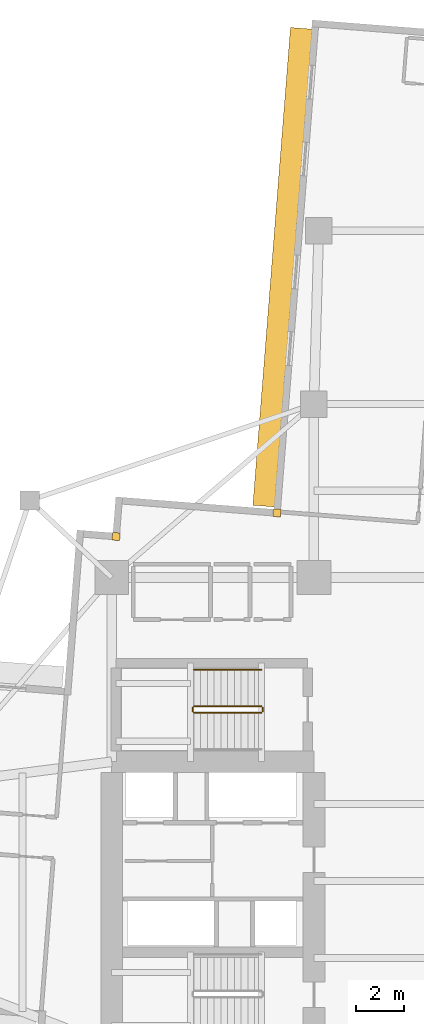
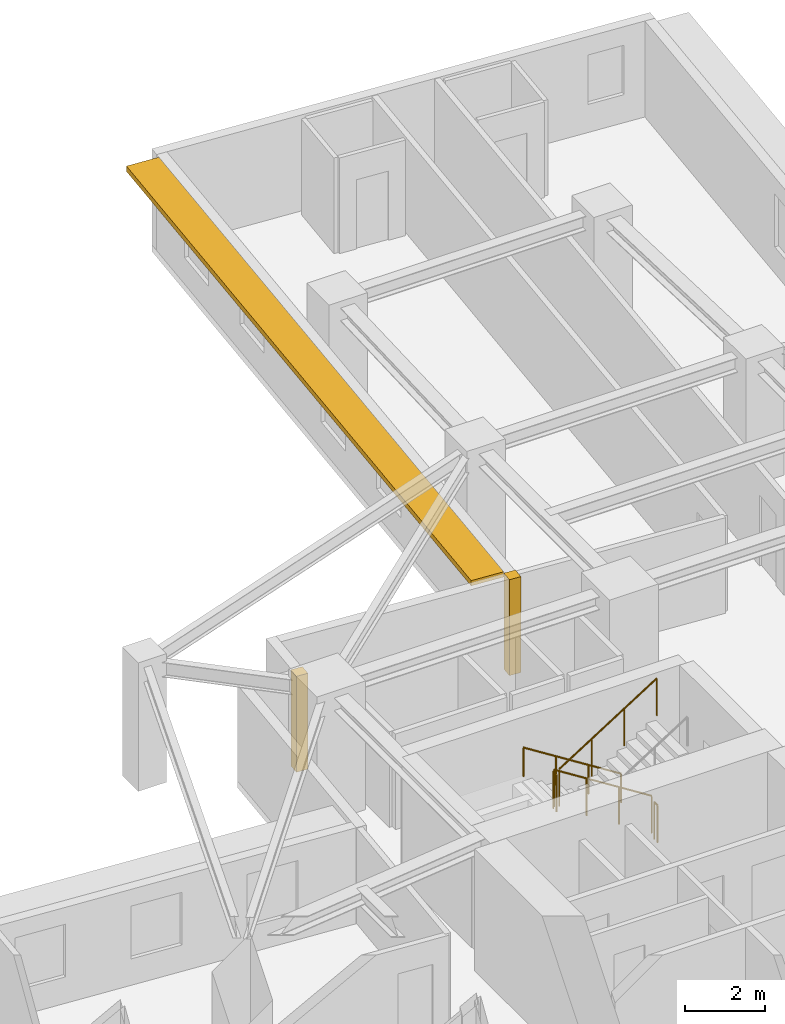
# One storey, part 13 of 14: 5 railings, 2 coverings, 1 shading device.
"""IFC4 building model written with IfcOpenShell, lengths in metres."""

import ifcopenshell
import ifcopenshell.guid

model = None  # the IFC model being written
_history = None  # IfcOwnerHistory: only IFC2X3 demands one
_inside = {}  # id of a spatial element -> (the spatial element, [elements in it])
_under = {}  # id of a project, library or spatial element -> (it, [spatial elements below it])
_declared = {}  # id of a project -> (the project, [libraries it declares])
_typed = {}  # id of a type object -> (the type object, [elements of that type])
_made_of = {}  # id of a material, layer set ... -> (it, [elements and type objects made of it])


def new_model(schema):
    """Start an empty IFC model of exactly this schema.

    Asked for "IFC4X3", IfcOpenShell would pick the latest addendum, in which some entities
    have other attributes; the version numbers below select the first issue.
    IFC2X3 requires an IfcOwnerHistory on every rooted entity: one is made here for all.
    """
    global model, _history
    if schema == "IFC4X3":
        model = ifcopenshell.file(schema_version=(4, 3, 0, 0))
    else:
        model = ifcopenshell.file(schema=schema)
    _inside.clear()
    _under.clear()
    _declared.clear()
    _typed.clear()
    _made_of.clear()
    _history = None
    if model.schema == "IFC2X3":
        org = make("IfcOrganization", Name="unknown")
        user = make(
            "IfcPersonAndOrganization",
            ThePerson=make("IfcPerson", FamilyName="unknown"),
            TheOrganization=org,
        )
        app = make(
            "IfcApplication",
            ApplicationDeveloper=org,
            Version="unknown",
            ApplicationFullName="unknown",
            ApplicationIdentifier="unknown",
        )
        _history = make(
            "IfcOwnerHistory",
            OwningUser=user,
            OwningApplication=app,
            ChangeAction="ADDED",
            CreationDate=0,
        )
    return model


def make(cls, **values):
    """One entity of the class cls with the attributes given. An attribute that is None is left unset."""
    return model.create_entity(
        cls, **{name: value for name, value in values.items() if value is not None}
    )


def rooted(cls, **values):
    """An entity with a GlobalId (a new one), such as an element, a storey or a relation."""
    return make(cls, GlobalId=ifcopenshell.guid.new(), OwnerHistory=_history, **values)


def si_unit(unit_type, name, prefix=None):
    """IfcSIUnit, for example si_unit("LENGTHUNIT", "METRE", prefix="MILLI")."""
    return make("IfcSIUnit", UnitType=unit_type, Prefix=prefix, Name=name)


def assignment(units):
    """IfcUnitAssignment: the units of a project."""
    return None if units is None else make("IfcUnitAssignment", Units=units)


def point(xyz):
    """IfcCartesianPoint."""
    return None if xyz is None else make("IfcCartesianPoint", Coordinates=xyz)


def direction(xyz):
    """IfcDirection."""
    return None if xyz is None else make("IfcDirection", DirectionRatios=xyz)


def frame(location, z_axis=None, x_axis=None):
    """IfcAxis2Placement3D, a coordinate frame: its origin and axes. An axis left out is left unset."""
    return make(
        "IfcAxis2Placement3D",
        Location=point(location),
        Axis=direction(z_axis),
        RefDirection=direction(x_axis),
    )


def frame_2d(location, x_axis=None):
    """IfcAxis2Placement2D, a coordinate frame in the plane: its origin and x axis."""
    return make(
        "IfcAxis2Placement2D", Location=point(location), RefDirection=direction(x_axis)
    )


def origin():
    """The frame at (0, 0, 0) with its axes left unset."""
    return frame((0.0, 0.0, 0.0))


def origin_2d():
    """The frame at (0, 0) in the plane with its x axis left unset."""
    return frame_2d((0.0, 0.0))


def place(relative_to, where):
    """IfcLocalPlacement: puts the frame where relative to a parent placement (None: the world)."""
    return make(
        "IfcLocalPlacement", PlacementRelTo=relative_to, RelativePlacement=where
    )


def context(
    kind, dimensions, precision=None, world=None, true_north=None, identifier=None
):
    """IfcGeometricRepresentationContext, for example the 3D "Model" context."""
    return make(
        "IfcGeometricRepresentationContext",
        ContextIdentifier=identifier,
        ContextType=kind,
        CoordinateSpaceDimension=dimensions,
        Precision=precision,
        WorldCoordinateSystem=world,
        TrueNorth=true_north,
    )


def subcontext(parent, identifier, kind, view, scale=None):
    """IfcGeometricRepresentationSubContext, for example "Body" below "Model"."""
    return make(
        "IfcGeometricRepresentationSubContext",
        ContextIdentifier=identifier,
        ContextType=kind,
        ParentContext=parent,
        TargetScale=scale,
        TargetView=view,
    )


def project(units=None, contexts=None):
    """IfcProject with its units and contexts."""
    return rooted(
        "IfcProject",
        Name="project",
        RepresentationContexts=contexts,
        UnitsInContext=assignment(units),
    )


def spatial(cls, under=None, at=None, **own):
    """A site, building, storey or space (cls), placed at a placement, below another one or the project."""
    s = rooted(cls, ObjectPlacement=at, **own)
    if under is not None:
        _under.setdefault(under.id(), (under, []))[1].append(s)
    return s


def profile(cls, at=None, kind="AREA", **sizes):
    """A parametric profile (cls). Its sizes go by their IFC names, for example OverallWidth=200.0."""
    return make(cls, ProfileType=kind, Position=at, **sizes)


def rectangle(**sizes):
    """IfcRectangleProfileDef."""
    return profile("IfcRectangleProfileDef", **sizes)


def circle(**sizes):
    """IfcCircleProfileDef."""
    return profile("IfcCircleProfileDef", **sizes)


def extrude(swept, where, along, depth):
    """IfcExtrudedAreaSolid: the profile swept, set in the frame where, extruded along a direction by depth."""
    return make(
        "IfcExtrudedAreaSolid",
        SweptArea=swept,
        Position=where,
        ExtrudedDirection=direction(along),
        Depth=depth,
    )


def shape(context_of_items, identifier, shape_type, items):
    """IfcShapeRepresentation: the items that make up one representation, for example the "Body"."""
    return make(
        "IfcShapeRepresentation",
        ContextOfItems=context_of_items,
        RepresentationIdentifier=identifier,
        RepresentationType=shape_type,
        Items=items,
    )


def material(Name=None, Category=None):
    """IfcMaterial."""
    return make("IfcMaterial", Name=Name, Category=Category)


def layer(
    of_material, thickness, ventilated=None, Name=None, Category=None, Priority=None
):
    """IfcMaterialLayer: one layer of a wall or slab, of a material (None: an air gap)."""
    return make(
        "IfcMaterialLayer",
        Material=of_material,
        LayerThickness=thickness,
        IsVentilated=ventilated,
        Name=Name,
        Category=Category,
        Priority=Priority,
    )


def layer_set(layers, Name=None):
    """IfcMaterialLayerSet."""
    return make("IfcMaterialLayerSet", MaterialLayers=layers, LayerSetName=Name)


def made_of(thing, what):
    """Note that an element or type object is made of a material, layer set ...; save() writes the relation."""
    if what is not None:
        _made_of.setdefault(what.id(), (what, []))[1].append(thing)
    return thing


def type_object(cls, material=None, **own):
    """A type object (cls), such as IfcWallType, which elements share."""
    return made_of(rooted(cls, **own), material)


def element(
    cls,
    number,
    at=None,
    inside=None,
    cuts=None,
    type_object=None,
    material=None,
    context=None,
    identifier="Body",
    shape_type=None,
    held_by="IfcProductDefinitionShape",
    body=None,
    shapes=None,
    **own,
):
    """One element of the class cls, such as IfcWall. Its Tag is "e" and its number.

    at: its placement. inside: the storey or other place that contains it. cuts: it is an
    opening in that element (IfcRelVoidsElement). A single representation is given by context,
    identifier, shape_type and body (its items); several are given by shapes. held_by: the class
    of the entity that holds the representations. save() writes the other relations.
    """
    e = rooted(cls, Tag="e%d" % number, ObjectPlacement=at, **own)
    if body is not None:
        shapes = [shape(context, identifier, shape_type, body)]
    if shapes is not None:
        e.Representation = make(held_by, Representations=shapes)
    if inside is not None:
        _inside.setdefault(inside.id(), (inside, []))[1].append(e)
    if cuts is not None:
        rooted(
            "IfcRelVoidsElement", RelatingBuildingElement=cuts, RelatedOpeningElement=e
        )
    if type_object is not None:
        _typed.setdefault(type_object.id(), (type_object, []))[1].append(e)
    return made_of(e, material)


def aggregate(whole, parts):
    """IfcRelAggregates: a whole, such as a stair, and the parts it consists of."""
    return rooted("IfcRelAggregates", RelatingObject=whole, RelatedObjects=parts)


def save(model, path):
    """Write the relations noted so far, then the file.

    IfcRelAggregates (storeys below a building ...), IfcRelContainedInSpatialStructure (elements
    in a storey), IfcRelDefinesByType, IfcRelAssociatesMaterial and IfcRelDeclares: one each for
    every whole, place, type object, material and project.
    """
    for whole, parts in _under.values():
        aggregate(whole, parts)
    for where, things in _inside.values():
        rooted(
            "IfcRelContainedInSpatialStructure",
            RelatedElements=things,
            RelatingStructure=where,
        )
    for kind, things in _typed.values():
        rooted("IfcRelDefinesByType", RelatedObjects=things, RelatingType=kind)
    for what, things in _made_of.values():
        rooted("IfcRelAssociatesMaterial", RelatedObjects=things, RelatingMaterial=what)
    for by, libraries in _declared.values():
        rooted("IfcRelDeclares", RelatingContext=by, RelatedDefinitions=libraries)
    model.write(path)


model = new_model("IFC4")

# Units and contexts
model_context = context("Model", 3, precision=1e-05, world=origin(), true_north=direction((0.0, 1.0)))
body_context = subcontext(model_context, "Body", "Model", "MODEL_VIEW")
ifc_project = project(units=[si_unit("LENGTHUNIT", "METRE"), si_unit("AREAUNIT", "SQUARE_METRE"), si_unit("VOLUMEUNIT", "CUBIC_METRE"), si_unit("PLANEANGLEUNIT", "RADIAN"), si_unit("MASSUNIT", "GRAM", prefix="KILO")], contexts=[model_context])

# Site, building, storey
site_placement = place(None, origin())
site = spatial("IfcSite", under=ifc_project, at=site_placement, CompositionType="ELEMENT")
building_placement = place(site_placement, origin())
building = spatial("IfcBuilding", under=site, at=building_placement, Name="Qingluan Cross Belvedere", CompositionType="ELEMENT")
storey_placement = place(building_placement, frame((0.0, 0.0, 83.39990234375)))
storey = spatial("IfcBuildingStorey", under=building, at=storey_placement, Name="L21", CompositionType="ELEMENT", Elevation=83.39990234375)

# Coverings
ifc_material_1 = material(Name="Precast concrete C45", Category="concrete")
ifc_layer_1 = layer(ifc_material_1, 0.1201171875, Name="ConcreteSpandrelCladding_120")
ifc_layer_set_1 = layer_set([ifc_layer_1], Name="Precast concrete C45")
covering_type = type_object("IfcCoveringType", Name="ConcreteSpandrelCladding_120", PredefinedType="CLADDING", material=ifc_layer_set_1)
for number, where, z_axis, x_axis, name in (
    (1, (-12.215576171875, 14.302490234375, 0.0), (0.0, 0.0, 1.0), (0.996917333733, -0.078459095728, 0.0), "Corner closure L21-NW1"),
    (2, (-5.5380859375, 15.281494140625, 0.0), (0.0, 0.0, 1.0), (0.996917333733, -0.078459095728, 0.0), "Corner closure L21-NW2"),
):
    element("IfcCovering", number, at=place(storey_placement, frame(where, z_axis=z_axis, x_axis=x_axis)), inside=storey, type_object=covering_type, Name=name, PredefinedType="CLADDING", context=body_context, shape_type="SweptSolid", body=[
        extrude(rectangle(XDim=0.320068359375, YDim=0.320068359375, at=origin_2d()), origin(), (0.0, 0.0, 1.0), 2.909912109375),
    ])

# Shading device
ifc_material_2 = material(Name="Precast concrete C45", Category="concrete")
ifc_layer_2 = layer(ifc_material_2, 0.159912109375, Name="ConcreteSunshadeBand_900")
ifc_layer_set_2 = layer_set([ifc_layer_2], Name="Precast concrete C45")
shading_device_type = type_object("IfcShadingDeviceType", Name="ConcreteSunshadeBand_900", PredefinedType="USERDEFINED", material=ifc_layer_set_2)
shading_device_placement = place(storey_placement, frame((-5.306884765625, 25.48486328125, 2.72998046875), z_axis=(0.0, 0.0, 1.0), x_axis=(-0.078457869429, -0.996917430244, 0.0)))
element("IfcShadingDevice", 3, at=shading_device_placement, inside=storey, type_object=shading_device_type, Name="Concrete SUNSHADE L21-NB", ObjectType="SUNSHADE", PredefinedType="USERDEFINED", context=body_context, shape_type="SweptSolid", body=[
    extrude(rectangle(XDim=19.89990234375, YDim=0.89990234375, at=origin_2d()), origin(), (0.0, 0.0, 1.0), 0.159912109375),
])

# Railings
ifc_material_3 = material(Name="Brushed stainless steel tubular handrail", Category="steel")
railing_type_1 = type_object("IfcRailingType", Name="StairPitchHandrail_900", PredefinedType="HANDRAIL", material=ifc_material_3)
railing_1_placement = place(storey_placement, frame((-6.179931640625, 8.77001953125, 0.177490234375)))
element("IfcRailing", 4, at=railing_1_placement, inside=storey, type_object=railing_type_1, Name="L21 ST3 stair handrail 1", PredefinedType="HANDRAIL", context=body_context, shape_type="SweptSolid", body=[
    extrude(circle(Radius=0.02392578125, at=origin_2d()), frame((0.0, 0.0, 0.8759765625), z_axis=(-0.844908973607, 0.0, 0.534910110503), x_axis=(0.0, -1.0, 0.0)), (0.0, 0.0, 1.0), 3.31396484375),
    extrude(circle(Radius=0.02099609375, at=origin_2d()), origin(), (0.0, 0.0, 1.0), 0.851806640625),
    extrude(circle(Radius=0.02099609375, at=origin_2d()), frame((-0.933349609375, 0.0, 0.5908203125)), (0.0, 0.0, 1.0), 0.851806640625),
    extrude(circle(Radius=0.02099609375, at=origin_2d()), frame((-1.86669921875, 0.0, 1.181884765625)), (0.0, 0.0, 1.0), 0.851806640625),
    extrude(circle(Radius=0.02099609375, at=origin_2d()), frame((-2.800048828125, 0.0, 1.772705078125)), (0.0, 0.0, 1.0), 0.851806640625),
])
ifc_material_4 = material(Name="Painted steel stair well guard", Category="steel")
railing_type_2 = type_object("IfcRailingType", Name="StairWellGuard_1150", PredefinedType="BALUSTRADE", material=ifc_material_4)
railing_2_placement = place(storey_placement, frame((-6.179931640625, 7.25, 0.177490234375)))
element("IfcRailing", 5, at=railing_2_placement, inside=storey, type_object=railing_type_2, Name="L21 ST3 stair guard 1", PredefinedType="BALUSTRADE", context=body_context, shape_type="SweptSolid", body=[
    extrude(circle(Radius=0.02392578125, at=origin_2d()), frame((0.0, 0.0, 1.1259765625), z_axis=(-0.844908973607, 0.0, 0.534910110503), x_axis=(0.0, -1.0, 0.0)), (0.0, 0.0, 1.0), 3.31396484375),
    extrude(circle(Radius=0.02099609375, at=origin_2d()), origin(), (0.0, 0.0, 1.0), 1.101806640625),
    extrude(circle(Radius=0.02099609375, at=origin_2d()), frame((-0.933349609375, 0.0, 0.5908203125)), (0.0, 0.0, 1.0), 1.101806640625),
    extrude(circle(Radius=0.02099609375, at=origin_2d()), frame((-1.86669921875, 0.0, 1.181884765625)), (0.0, 0.0, 1.0), 1.101806640625),
    extrude(circle(Radius=0.02099609375, at=origin_2d()), frame((-2.800048828125, 0.0, 1.772705078125)), (0.0, 0.0, 1.0), 1.101806640625),
])
railing_3_placement = place(storey_placement, frame((-9.030029296875, 7.199951171875, 1.9501953125)))
element("IfcRailing", 6, at=railing_3_placement, inside=storey, type_object=railing_type_2, Name="L21 ST3 stair guard 2", PredefinedType="BALUSTRADE", context=body_context, shape_type="SweptSolid", body=[
    extrude(circle(Radius=0.02392578125, at=origin_2d()), frame((0.0, 0.0, 1.1259765625), z_axis=(0.0, -1.0, 0.0), x_axis=(1.0, 0.0, 0.0)), (0.0, 0.0, 1.0), 0.159912109375),
    extrude(circle(Radius=0.02099609375, at=origin_2d()), origin(), (0.0, 0.0, 1.0), 1.101806640625),
    extrude(circle(Radius=0.02099609375, at=origin_2d()), frame((0.0, -0.159912109375, 0.0)), (0.0, 0.0, 1.0), 1.101806640625),
])
railing_4_placement = place(storey_placement, frame((-8.97998046875, 6.989990234375, 2.12744140625)))
element("IfcRailing", 7, at=railing_4_placement, inside=storey, type_object=railing_type_2, Name="L21 ST3 stair guard 3", PredefinedType="BALUSTRADE", context=body_context, shape_type="SweptSolid", body=[
    extrude(circle(Radius=0.02392578125, at=origin_2d()), frame((0.0, 0.0, 1.1259765625), z_axis=(0.844908973607, 0.0, 0.534910110503), x_axis=(0.0, 1.0, 0.0)), (0.0, 0.0, 1.0), 3.31396484375),
    extrude(circle(Radius=0.02099609375, at=origin_2d()), origin(), (0.0, 0.0, 1.0), 1.101806640625),
    extrude(circle(Radius=0.02099609375, at=origin_2d()), frame((0.933349609375, 0.0, 0.5908203125)), (0.0, 0.0, 1.0), 1.101806640625),
    extrude(circle(Radius=0.02099609375, at=origin_2d()), frame((1.86669921875, 0.0, 1.181884765625)), (0.0, 0.0, 1.0), 1.101806640625),
    extrude(circle(Radius=0.02099609375, at=origin_2d()), frame((2.800048828125, 0.0, 1.772705078125)), (0.0, 0.0, 1.0), 1.101806640625),
])
railing_5_placement = place(storey_placement, frame((-6.1298828125, 7.199951171875, 0.0)))
element("IfcRailing", 8, at=railing_5_placement, inside=storey, type_object=railing_type_2, Name="L21 ST3 stair guard 4", PredefinedType="BALUSTRADE", context=body_context, shape_type="SweptSolid", body=[
    extrude(circle(Radius=0.02392578125, at=origin_2d()), frame((0.0, 0.0, 1.1259765625), z_axis=(0.0, -1.0, 0.0), x_axis=(1.0, 0.0, 0.0)), (0.0, 0.0, 1.0), 0.159912109375),
    extrude(circle(Radius=0.02099609375, at=origin_2d()), origin(), (0.0, 0.0, 1.0), 1.101806640625),
    extrude(circle(Radius=0.02099609375, at=origin_2d()), frame((0.0, -0.159912109375, 0.0)), (0.0, 0.0, 1.0), 1.101806640625),
])

save(model, "model.ifc")
